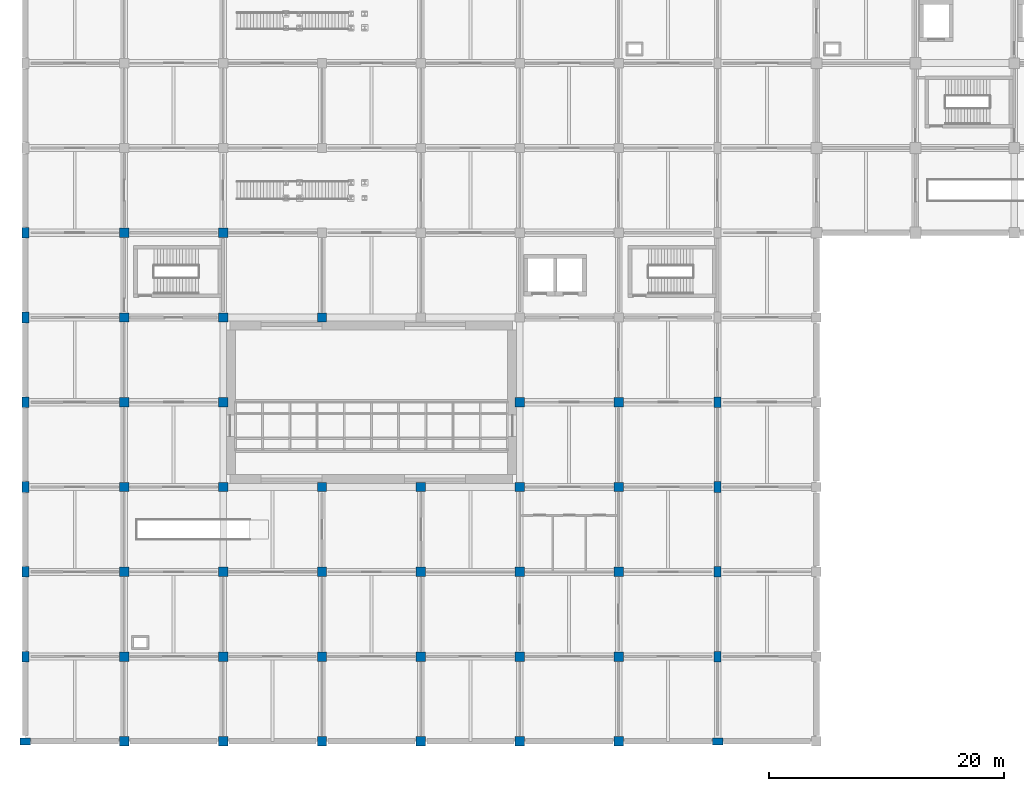
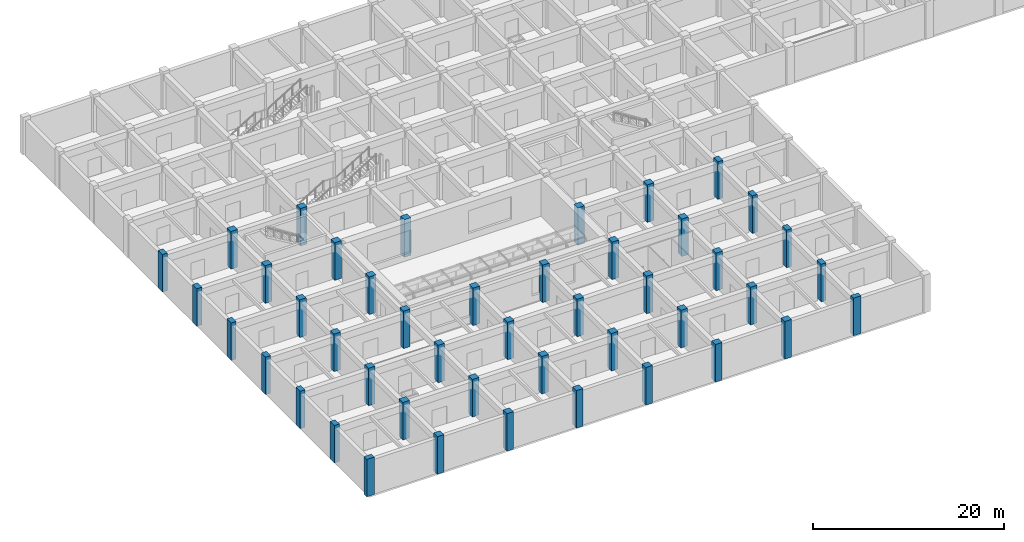
# One storey, part 1 of 32: 45 columns.
"""IFC4 building model written with IfcOpenShell, lengths in metres."""

from ifc_helpers import new_model, si_unit, derived_unit, direction, frame, origin, origin_2d, place, context, subcontext, project, spatial, rectangle, extrude, material, material_profile, profile_set, type_object, element, save


model = new_model("IFC4")

# Units and contexts
model_context = context("Model", 3, precision=1e-05, world=origin(), true_north=direction((0.0, 1.0)))
body_context = subcontext(model_context, "Body", "Model", "MODEL_VIEW")
ifc_project = project(units=[si_unit("LENGTHUNIT", "METRE"), si_unit("AREAUNIT", "SQUARE_METRE"), si_unit("VOLUMEUNIT", "CUBIC_METRE"), si_unit("PLANEANGLEUNIT", "RADIAN"), si_unit("MASSUNIT", "GRAM", prefix="KILO"), derived_unit("THERMALTRANSMITTANCEUNIT", [(si_unit("MASSUNIT", "GRAM", prefix="KILO"), 1), (si_unit("TIMEUNIT", "SECOND"), -3), (si_unit("THERMODYNAMICTEMPERATUREUNIT", "KELVIN"), -1)])], contexts=[model_context])

# Site, building, storey
site_placement = place(None, origin())
site = spatial("IfcSite", under=ifc_project, at=site_placement, CompositionType="ELEMENT")
building_placement = place(site_placement, origin())
building = spatial("IfcBuilding", under=site, at=building_placement, Name="Veldstrom Oceanarium and Marine Research Institute", CompositionType="ELEMENT")
storey_placement = place(building_placement, frame((0.0, 0.0, -4.800048828125)))
storey = spatial("IfcBuildingStorey", under=building, at=storey_placement, Name="B01", CompositionType="ELEMENT", Elevation=-4.800048828125)

# Columns
ifc_material_1 = material(Name="Concrete C50/60", Category="concrete")
ifc_material_profile_1 = material_profile(ifc_material_1, rectangle(XDim=0.800048828125, YDim=0.800048828125, at=origin_2d()), Name="RC-COL-800x800")
ifc_profile_set_1 = profile_set([ifc_material_profile_1], Name="Concrete C50/60")
column_type_1 = type_object("IfcColumnType", Name="STR-COL-C04", PredefinedType="COLUMN", material=ifc_profile_set_1)
for number, where, z_axis, x_axis, name in (
    (1, (8.39990234375, 0.0, 0.0), (0.0, 0.0, 1.0), (1.0, 0.0, 0.0), "Column C04 2/A B01"),
    (2, (8.39990234375, 7.199951171875, 0.0), (0.0, 0.0, 1.0), (1.0, 0.0, 0.0), "Column C04 2/B B01"),
    (3, (8.39990234375, 14.39990234375, 0.0), (0.0, 0.0, 1.0), (1.0, 0.0, 0.0), "Column C04 2/C B01"),
    (4, (8.39990234375, 21.60009765625, 0.0), (0.0, 0.0, 1.0), (1.0, 0.0, 0.0), "Column C04 2/D B01"),
    (5, (8.39990234375, 28.800048828125, 0.0), (0.0, 0.0, 1.0), (1.0, 0.0, 0.0), "Column C04 2/E B01"),
    (6, (8.39990234375, 36.0, 0.0), (0.0, 0.0, 1.0), (1.0, 0.0, 0.0), "Column C04 2/F B01"),
    (7, (8.39990234375, 43.199951171875, 0.0), (0.0, 0.0, 1.0), (1.0, 0.0, 0.0), "Column C04 2/G B01"),
    (8, (16.800048828125, 0.0, 0.0), (0.0, 0.0, 1.0), (1.0, 0.0, 0.0), "Column C04 3/A B01"),
    (9, (16.800048828125, 7.199951171875, 0.0), (0.0, 0.0, 1.0), (1.0, 0.0, 0.0), "Column C04 3/B B01"),
    (10, (16.800048828125, 14.39990234375, 0.0), (0.0, 0.0, 1.0), (1.0, 0.0, 0.0), "Column C04 3/C B01"),
    (11, (16.800048828125, 21.60009765625, 0.0), (0.0, 0.0, 1.0), (1.0, 0.0, 0.0), "Column C04 3/D B01"),
    (12, (16.800048828125, 28.800048828125, 0.0), (0.0, 0.0, 1.0), (1.0, 0.0, 0.0), "Column C04 3/E B01"),
    (13, (16.800048828125, 36.0, 0.0), (0.0, 0.0, 1.0), (1.0, 0.0, 0.0), "Column C04 3/F B01"),
    (14, (16.800048828125, 43.199951171875, 0.0), (0.0, 0.0, 1.0), (1.0, 0.0, 0.0), "Column C04 3/G B01"),
    (15, (25.199951171875, 0.0, 0.0), (0.0, 0.0, 1.0), (1.0, 0.0, 0.0), "Column C04 4/A B01"),
    (16, (25.199951171875, 7.199951171875, 0.0), (0.0, 0.0, 1.0), (1.0, 0.0, 0.0), "Column C04 4/B B01"),
    (17, (25.199951171875, 14.39990234375, 0.0), (0.0, 0.0, 1.0), (1.0, 0.0, 0.0), "Column C04 4/C B01"),
    (18, (25.199951171875, 21.60009765625, 0.0), (0.0, 0.0, 1.0), (1.0, 0.0, 0.0), "Column C04 4/D B01"),
    (19, (25.199951171875, 36.0, 0.0), (0.0, 0.0, 1.0), (1.0, 0.0, 0.0), "Column C04 4/F B01"),
    (20, (33.60009765625, 0.0, 0.0), (0.0, 0.0, 1.0), (1.0, 0.0, 0.0), "Column C04 5/A B01"),
    (21, (33.60009765625, 7.199951171875, 0.0), (0.0, 0.0, 1.0), (1.0, 0.0, 0.0), "Column C04 5/B B01"),
    (22, (33.60009765625, 14.39990234375, 0.0), (0.0, 0.0, 1.0), (1.0, 0.0, 0.0), "Column C04 5/C B01"),
    (23, (33.60009765625, 21.60009765625, 0.0), (0.0, 0.0, 1.0), (1.0, 0.0, 0.0), "Column C04 5/D B01"),
    (24, (42.0, 0.0, 0.0), (0.0, 0.0, 1.0), (1.0, 0.0, 0.0), "Column C04 6/A B01"),
    (25, (42.0, 7.199951171875, 0.0), (0.0, 0.0, 1.0), (1.0, 0.0, 0.0), "Column C04 6/B B01"),
    (26, (42.0, 14.39990234375, 0.0), (0.0, 0.0, 1.0), (1.0, 0.0, 0.0), "Column C04 6/C B01"),
    (27, (42.0, 21.60009765625, 0.0), (0.0, 0.0, 1.0), (1.0, 0.0, 0.0), "Column C04 6/D B01"),
    (28, (42.0, 28.800048828125, 0.0), (0.0, 0.0, 1.0), (1.0, 0.0, 0.0), "Column C04 6/E B01"),
    (29, (50.39990234375, 0.0, 0.0), (0.0, 0.0, 1.0), (1.0, 0.0, 0.0), "Column C04 7/A B01"),
    (30, (50.39990234375, 7.199951171875, 0.0), (0.0, 0.0, 1.0), (1.0, 0.0, 0.0), "Column C04 7/B B01"),
    (31, (50.39990234375, 14.39990234375, 0.0), (0.0, 0.0, 1.0), (1.0, 0.0, 0.0), "Column C04 7/C B01"),
    (32, (50.39990234375, 21.60009765625, 0.0), (0.0, 0.0, 1.0), (1.0, 0.0, 0.0), "Column C04 7/D B01"),
    (33, (50.39990234375, 28.800048828125, 0.0), (0.0, 0.0, 1.0), (1.0, 0.0, 0.0), "Column C04 7/E B01"),
):
    element("IfcColumn", number, at=place(storey_placement, frame(where, z_axis=z_axis, x_axis=x_axis)), inside=storey, type_object=column_type_1, Name=name, PredefinedType="COLUMN", context=body_context, shape_type="SweptSolid", body=[
        extrude(rectangle(XDim=0.800048828125, YDim=0.800048828125, at=origin_2d()), origin(), (0.0, 0.0, 1.0), 4.800048828125),
    ])
ifc_material_2 = material(Name="Concrete C50/60", Category="concrete")
ifc_material_profile_2 = material_profile(ifc_material_2, rectangle(XDim=0.60009765625, YDim=0.89990234375, at=origin_2d()), Name="RC-COL-900x600")
ifc_profile_set_2 = profile_set([ifc_material_profile_2], Name="Concrete C50/60")
column_type_2 = type_object("IfcColumnType", Name="STR-COL-C11", PredefinedType="COLUMN", material=ifc_profile_set_2)
for number, where, z_axis, x_axis, name in (
    (34, (0.0, 0.0, 0.0), (0.0, 0.0, 1.0), (0.0, 1.0, 0.0), "Column C11 1/A B01"),
    (35, (0.0, 7.199951171875, 0.0), (0.0, 0.0, 1.0), (1.0, 0.0, 0.0), "Column C11 1/B B01"),
    (36, (0.0, 14.39990234375, 0.0), (0.0, 0.0, 1.0), (1.0, 0.0, 0.0), "Column C11 1/C B01"),
    (37, (0.0, 21.60009765625, 0.0), (0.0, 0.0, 1.0), (1.0, 0.0, 0.0), "Column C11 1/D B01"),
    (38, (0.0, 28.800048828125, 0.0), (0.0, 0.0, 1.0), (1.0, 0.0, 0.0), "Column C11 1/E B01"),
    (39, (0.0, 36.0, 0.0), (0.0, 0.0, 1.0), (1.0, 0.0, 0.0), "Column C11 1/F B01"),
    (40, (0.0, 43.199951171875, 0.0), (0.0, 0.0, 1.0), (1.0, 0.0, 0.0), "Column C11 1/G B01"),
    (41, (58.800048828125, 0.0, 0.0), (0.0, 0.0, 1.0), (0.0, 1.0, 0.0), "Column C11 8/A B01"),
    (42, (58.800048828125, 7.199951171875, 0.0), (0.0, 0.0, 1.0), (1.0, 0.0, 0.0), "Column C11 8/B B01"),
    (43, (58.800048828125, 14.39990234375, 0.0), (0.0, 0.0, 1.0), (1.0, 0.0, 0.0), "Column C11 8/C B01"),
    (44, (58.800048828125, 21.60009765625, 0.0), (0.0, 0.0, 1.0), (1.0, 0.0, 0.0), "Column C11 8/D B01"),
    (45, (58.800048828125, 28.800048828125, 0.0), (0.0, 0.0, 1.0), (1.0, 0.0, 0.0), "Column C11 8/E B01"),
):
    element("IfcColumn", number, at=place(storey_placement, frame(where, z_axis=z_axis, x_axis=x_axis)), inside=storey, type_object=column_type_2, Name=name, PredefinedType="COLUMN", context=body_context, shape_type="SweptSolid", body=[
        extrude(rectangle(XDim=0.60009765625, YDim=0.89990234375, at=origin_2d()), origin(), (0.0, 0.0, 1.0), 4.800048828125),
    ])

save(model, "model.ifc")
